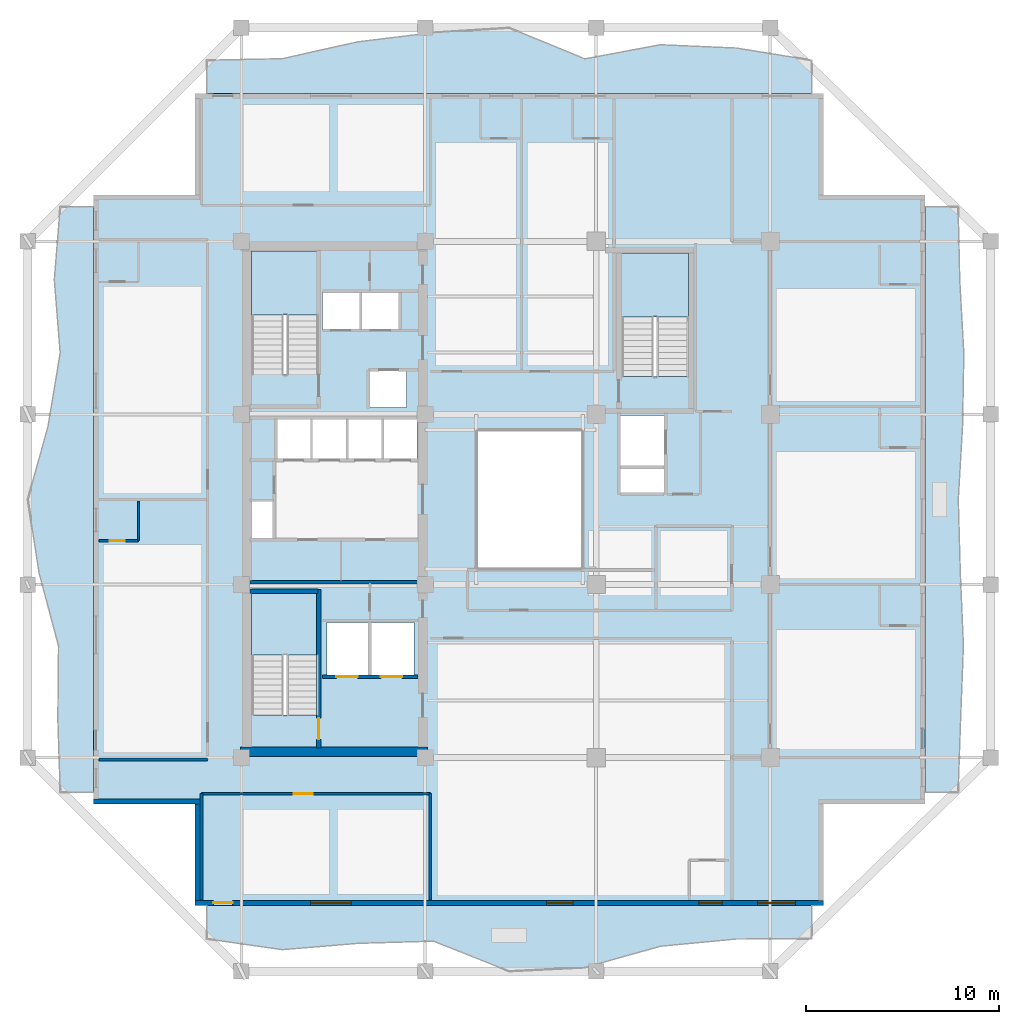
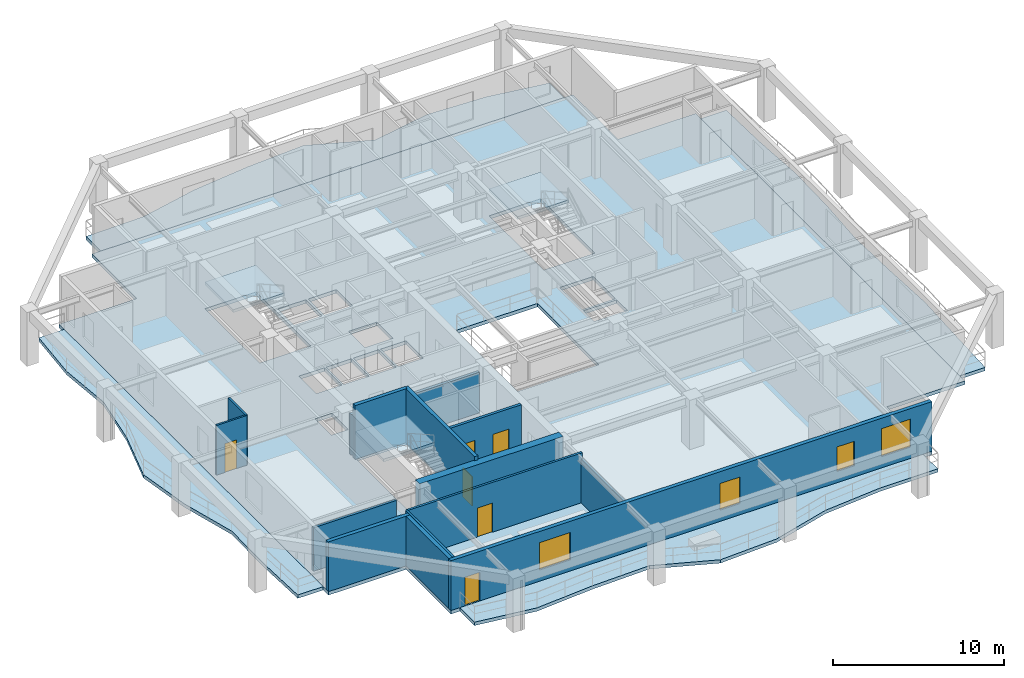
# One storey, part 2 of 12: 14 walls, 8 slabs, 6 doors, 4 windows, 10 openings, 3 elements without a shape of their own.
"""IFC4 building model written with IfcOpenShell, lengths in metres."""

from ifc_helpers import new_model, si_unit, direction, frame, frame_2d, origin, place, context, subcontext, project, spatial, polyline, rectangle, outline, extrude, material, layer, layer_set, type_object, element, fill, aggregate, save


model = new_model("IFC4")

# Units and contexts
model_context = context("Model", 3, precision=1e-05, world=origin(), true_north=direction((0.0, 1.0)))
body_context = subcontext(model_context, "Body", "Model", "MODEL_VIEW")
ifc_project = project(units=[si_unit("LENGTHUNIT", "METRE"), si_unit("AREAUNIT", "SQUARE_METRE"), si_unit("VOLUMEUNIT", "CUBIC_METRE"), si_unit("PLANEANGLEUNIT", "RADIAN"), si_unit("MASSUNIT", "GRAM", prefix="KILO")], contexts=[model_context])

# Site, building, storey
site_placement = place(None, origin())
site = spatial("IfcSite", under=ifc_project, at=site_placement, CompositionType="ELEMENT")
building_placement = place(site_placement, origin())
building = spatial("IfcBuilding", under=site, at=building_placement, Name="Kundavana Baori Tower", CompositionType="ELEMENT")
storey_placement = place(building_placement, frame((0.0, 0.0, 200.25)))
storey = spatial("IfcBuildingStorey", under=building, at=storey_placement, Name="L49", CompositionType="ELEMENT", Elevation=200.25)

# Slab
ifc_material_1 = material(Name="Concrete C40/50", Category="concrete")
ifc_layer_1 = layer(ifc_material_1, 0.25, Name="SLB-FLR-250")
ifc_layer_set_1 = layer_set([ifc_layer_1], Name="Concrete C40/50")
slab_type_1 = type_object("IfcSlabType", Name="SLB-FLR-250", PredefinedType="FLOOR", material=ifc_layer_set_1)
slab_1_placement = place(storey_placement, frame((0.0, 0.0, -0.25)))
element("IfcSlab", 1, at=slab_1_placement, inside=storey, type_object=slab_type_1, Name="L49 Structural Floor Slab", PredefinedType="FLOOR", context=body_context, shape_type="SweptSolid", body=[
    extrude(outline(polyline([(13.050048828125, 7.60009765625), (45.550048828125, 7.60009765625), (45.550048828125, 12.85009765625), (50.800048828125, 12.85009765625), (50.800048828125, 44.35009765625), (45.550048828125, 44.35009765625), (45.550048828125, 49.60009765625), (13.050048828125, 49.60009765625), (13.050048828125, 44.35009765625), (7.800048828125, 44.35009765625), (7.800048828125, 12.85009765625), (13.050048828125, 12.85009765625), (13.050048828125, 7.60009765625)]), holes=[polyline([(19.43994140625, 17.4619140625), (19.43994140625, 23.85009765625), (15.97998046875, 23.85009765625), (15.97998046875, 17.4619140625), (19.43994140625, 17.4619140625)]), polyline([(19.43994140625, 35.06201171875), (19.43994140625, 41.449951171875), (15.97998046875, 41.449951171875), (15.97998046875, 35.06201171875), (19.43994140625, 35.06201171875)]), polyline([(38.580078125, 34.9619140625), (38.580078125, 41.35009765625), (35.1201171875, 41.35009765625), (35.1201171875, 34.9619140625), (38.580078125, 34.9619140625)]), polyline([(17.300048828125, 30.699951171875), (19.02001953125, 30.699951171875), (19.02001953125, 32.75), (17.300048828125, 32.75), (17.300048828125, 30.699951171875)]), polyline([(19.139892578125, 30.699951171875), (20.860107421875, 30.699951171875), (20.860107421875, 32.75), (19.139892578125, 32.75), (19.139892578125, 30.699951171875)]), polyline([(20.97998046875, 30.699951171875), (22.699951171875, 30.699951171875), (22.699951171875, 32.75), (20.97998046875, 32.75), (20.97998046875, 30.699951171875)]), polyline([(22.820068359375, 30.699951171875), (24.5400390625, 30.699951171875), (24.5400390625, 32.75), (22.820068359375, 32.75), (22.820068359375, 30.699951171875)]), polyline([(19.64990234375, 37.39990234375), (21.550048828125, 37.39990234375), (21.550048828125, 39.300048828125), (19.64990234375, 39.300048828125), (19.64990234375, 37.39990234375)]), polyline([(21.699951171875, 37.39990234375), (23.60009765625, 37.39990234375), (23.60009765625, 39.300048828125), (21.699951171875, 39.300048828125), (21.699951171875, 37.39990234375)]), polyline([(22.10009765625, 33.35009765625), (24.0, 33.35009765625), (24.0, 35.25), (22.10009765625, 35.25), (22.10009765625, 33.35009765625)]), polyline([(19.8798828125, 19.5), (22.02001953125, 19.5), (22.02001953125, 22.25), (19.8798828125, 22.25), (19.8798828125, 19.5)]), polyline([(22.179931640625, 19.5), (24.3798828125, 19.5), (24.3798828125, 22.25), (22.179931640625, 22.25), (22.179931640625, 19.5)]), polyline([(35.050048828125, 30.35009765625), (37.300048828125, 30.35009765625), (37.300048828125, 32.949951171875), (35.050048828125, 32.949951171875), (35.050048828125, 30.35009765625)]), polyline([(15.949951171875, 26.60009765625), (17.080078125, 26.60009765625), (17.080078125, 28.5), (15.949951171875, 28.5), (15.949951171875, 26.60009765625)]), polyline([(35.050048828125, 28.949951171875), (37.300048828125, 28.949951171875), (37.300048828125, 30.199951171875), (35.050048828125, 30.199951171875), (35.050048828125, 28.949951171875)]), polyline([(27.60009765625, 25.0), (33.10009765625, 25.0), (33.10009765625, 32.199951171875), (27.60009765625, 32.199951171875), (27.60009765625, 25.0)])]), origin(), (0.0, 0.0, 1.0), 0.25),
])

# Stair, slab
ifc_material_2 = material(Name="Concrete C40/50", Category="concrete")
stair_type = type_object("IfcStairType", Name="STR-DOG-1650", PredefinedType="HALF_TURN_STAIR", material=ifc_material_2)
stair_1_placement = place(storey_placement, origin())
stair_1 = element("IfcStair", 2, at=stair_1_placement, inside=storey, type_object=stair_type, Name="L49 Protected Exit Stair ST1", PredefinedType="HALF_TURN_STAIR")
ifc_material_3 = material(Name="Concrete C40/50", Category="concrete")
ifc_layer_2 = layer(ifc_material_3, 0.199951171875, Name="SLB-LND-200")
ifc_layer_set_2 = layer_set([ifc_layer_2], Name="Concrete C40/50")
slab_type_2 = type_object("IfcSlabType", Name="SLB-LND-200", PredefinedType="LANDING", material=ifc_layer_set_2)
slab_2_placement = place(storey_placement, frame((0.0, 0.0, 1.72509765625)))
slab_2 = element("IfcSlab", 3, at=slab_2_placement, type_object=slab_type_2, Name="ST1 landing 1", PredefinedType="LANDING", context=body_context, shape_type="SweptSolid", body=[
    extrude(outline(polyline([(19.43994140625, 20.550048828125), (19.43994140625, 23.85009765625), (15.97998046875, 23.85009765625), (15.97998046875, 20.550048828125), (19.43994140625, 20.550048828125)])), origin(), (0.0, 0.0, 1.0), 0.199951171875),
])
aggregate(stair_1, [slab_2])

stair_2_placement = place(storey_placement, origin())
stair_2 = element("IfcStair", 4, at=stair_2_placement, inside=storey, type_object=stair_type, Name="L49 Protected Exit Stair ST2", PredefinedType="HALF_TURN_STAIR")
slab_3_placement = place(storey_placement, frame((0.0, 0.0, 1.72509765625)))
slab_3 = element("IfcSlab", 5, at=slab_3_placement, type_object=slab_type_2, Name="ST2 landing 1", PredefinedType="LANDING", context=body_context, shape_type="SweptSolid", body=[
    extrude(outline(polyline([(19.43994140625, 38.14990234375), (19.43994140625, 41.449951171875), (15.97998046875, 41.449951171875), (15.97998046875, 38.14990234375), (19.43994140625, 38.14990234375)])), origin(), (0.0, 0.0, 1.0), 0.199951171875),
])
aggregate(stair_2, [slab_3])

stair_3_placement = place(storey_placement, origin())
stair_3 = element("IfcStair", 6, at=stair_3_placement, inside=storey, type_object=stair_type, Name="L49 Protected Exit Stair ST3", PredefinedType="HALF_TURN_STAIR")
slab_4_placement = place(storey_placement, frame((0.0, 0.0, 1.72509765625)))
slab_4 = element("IfcSlab", 7, at=slab_4_placement, type_object=slab_type_2, Name="ST3 landing 1", PredefinedType="LANDING", context=body_context, shape_type="SweptSolid", body=[
    extrude(outline(polyline([(38.580078125, 38.050048828125), (38.580078125, 41.35009765625), (35.1201171875, 41.35009765625), (35.1201171875, 38.050048828125), (38.580078125, 38.050048828125)])), origin(), (0.0, 0.0, 1.0), 0.199951171875),
])
aggregate(stair_3, [slab_4])

# Slabs
ifc_material_4 = material(Name="Concrete C40/50", Category="concrete")
ifc_layer_3 = layer(ifc_material_4, 0.239990234375, Name="SLB-LOG-240")
ifc_layer_set_3 = layer_set([ifc_layer_3], Name="Concrete C40/50")
slab_type_3 = type_object("IfcSlabType", Name="SLB-LOG-240", PredefinedType="FLOOR", material=ifc_layer_set_3)
slab_5_placement = place(storey_placement, frame((0.0, 0.0, -0.239990234375)))
element("IfcSlab", 8, at=slab_5_placement, inside=storey, type_object=slab_type_3, Name="L49 Planted Loggia Balcony Slab S", PredefinedType="FLOOR", context=body_context, shape_type="SweptSolid", body=[
    extrude(outline(polyline([(13.64990234375, 7.60009765625), (44.949951171875, 7.60009765625), (44.949951171875, 5.8798828125), (41.0380859375, 5.866943359375), (37.125, 5.491943359375), (33.212890625, 4.39697265625), (29.300048828125, 4.199951171875), (25.387939453125, 5.757080078125), (21.47509765625, 5.64208984375), (17.56201171875, 5.31591796875), (13.64990234375, 5.8798828125), (13.64990234375, 7.60009765625)])), origin(), (0.0, 0.0, 1.0), 0.239990234375),
])
slab_6_placement = place(storey_placement, frame((0.0, 0.0, -0.239990234375)))
element("IfcSlab", 9, at=slab_6_placement, inside=storey, type_object=slab_type_3, Name="L49 Planted Loggia Balcony Slab E", PredefinedType="FLOOR", context=body_context, shape_type="SweptSolid", body=[
    extrude(outline(polyline([(50.800048828125, 13.449951171875), (50.800048828125, 43.75), (52.52001953125, 43.75), (52.60498046875, 39.9619140625), (52.81689453125, 36.175048828125), (52.75, 32.387939453125), (52.530029296875, 28.60009765625), (52.634033203125, 24.81201171875), (52.794921875, 21.02490234375), (52.64990234375, 17.238037109375), (52.52001953125, 13.449951171875), (50.800048828125, 13.449951171875)])), origin(), (0.0, 0.0, 1.0), 0.239990234375),
])
slab_7_placement = place(storey_placement, frame((0.0, 0.0, -0.239990234375)))
element("IfcSlab", 10, at=slab_7_placement, inside=storey, type_object=slab_type_3, Name="L49 Planted Loggia Balcony Slab N", PredefinedType="FLOOR", context=body_context, shape_type="SweptSolid", body=[
    extrude(outline(polyline([(44.949951171875, 49.60009765625), (13.64990234375, 49.60009765625), (13.64990234375, 51.320068359375), (17.56201171875, 51.39794921875), (21.47509765625, 52.27001953125), (25.387939453125, 52.7490234375), (29.300048828125, 53.0), (33.212890625, 51.388916015625), (37.125, 52.1201171875), (41.0380859375, 51.949951171875), (44.949951171875, 51.320068359375), (44.949951171875, 49.60009765625)])), origin(), (0.0, 0.0, 1.0), 0.239990234375),
])
slab_8_placement = place(storey_placement, frame((0.0, 0.0, -0.239990234375)))
element("IfcSlab", 11, at=slab_8_placement, inside=storey, type_object=slab_type_3, Name="L49 Planted Loggia Balcony Slab W", PredefinedType="FLOOR", context=body_context, shape_type="SweptSolid", body=[
    extrude(outline(polyline([(7.800048828125, 43.75), (7.800048828125, 13.449951171875), (6.080078125, 13.449951171875), (5.95703125, 17.238037109375), (5.993896484375, 21.02490234375), (4.98291015625, 24.81201171875), (4.39990234375, 28.60009765625), (5.447998046875, 32.387939453125), (6.0791015625, 36.175048828125), (5.77490234375, 39.9619140625), (6.080078125, 43.75), (7.800048828125, 43.75)])), origin(), (0.0, 0.0, 1.0), 0.239990234375),
])

# Wall, opening, door
ifc_material_5 = material(Name="Concrete C50/60", Category="concrete")
ifc_layer_4 = layer(ifc_material_5, 0.39990234375, Name="WL-CORE-400")
ifc_layer_set_4 = layer_set([ifc_layer_4], Name="Concrete C50/60")
wall_type_1 = type_object("IfcWallType", Name="WL-CORE-400", PredefinedType="SHEAR", material=ifc_layer_set_4)
wall_1_placement = place(storey_placement, frame((19.4599609375, 15.739990234375, 0.0), z_axis=(0.0, 0.0, 1.0), x_axis=(0.0, 1.0, 0.0)))
wall_1 = element("IfcWall", 12, at=wall_1_placement, inside=storey, type_object=wall_type_1, Name="WL-L49-ST1-E", PredefinedType="SHEAR", context=body_context, shape_type="SweptSolid", body=[
    extrude(rectangle(XDim=8.199951171875, YDim=0.239990234375, at=frame_2d((4.10009765625, 0.0))), origin(), (0.0, 0.0, 1.0), 3.85009765625),
])
opening_1_placement = place(wall_1_placement, frame((0.449951171875, 0.0, 0.0)))
opening_1 = element("IfcOpeningElement", 13, at=opening_1_placement, cuts=wall_1, Name="Opening FD-110", PredefinedType="OPENING", context=body_context, shape_type="SweptSolid", body=[
    extrude(rectangle(XDim=1.10009765625, YDim=2.10009765625, at=frame_2d((0.550048828125, 1.050048828125))), frame((0.0, 0.1298828125, 0.0), z_axis=(0.0, -1.0, 0.0), x_axis=(1.0, 0.0, 0.0)), (0.0, 0.0, 1.0), 0.260009765625),
])
ifc_material_6 = material(Name="Galvanised Steel Fire-Rated Door Leaf", Category="steel")
door_type_1 = type_object("IfcDoorType", Name="DR-FD120-1100", OperationType="NOTDEFINED", PredefinedType="DOOR", material=ifc_material_6)
door_1_placement = place(opening_1_placement, origin())
door_1 = element("IfcDoor", 14, at=door_1_placement, inside=storey, type_object=door_type_1, Name="DR-L49-ST1", OperationType="SINGLE_SWING_LEFT", OverallHeight=2.10009765625, OverallWidth=1.10009765625, PredefinedType="DOOR", context=body_context, shape_type="SweptSolid", body=[
    extrude(rectangle(XDim=1.10009765625, YDim=2.10009765625, at=frame_2d((0.550048828125, 1.050048828125))), frame((0.0, 0.02490234375, 0.0), z_axis=(0.0, -1.0, 0.0), x_axis=(1.0, 0.0, 0.0)), (0.0, 0.0, 1.0), 0.050048828125),
])
fill(opening_1, door_1)

# Walls
wall_2_placement = place(storey_placement, frame((15.89990234375, 23.860107421875, 0.0), z_axis=(0.0, 0.0, 1.0), x_axis=(1.0, 0.0, 0.0)))
element("IfcWall", 15, at=wall_2_placement, inside=storey, type_object=wall_type_1, Name="WL-L49-ST1-N", PredefinedType="SHEAR", context=body_context, shape_type="SweptSolid", body=[
    extrude(rectangle(XDim=3.52001953125, YDim=0.239990234375, at=frame_2d((1.760009765625, 0.0))), origin(), (0.0, 0.0, 1.0), 3.85009765625),
])
ifc_material_7 = material(Name="Concrete C50/60", Category="concrete")
ifc_layer_5 = layer(ifc_material_7, 0.5, Name="WL-CORE-500")
ifc_layer_set_5 = layer_set([ifc_layer_5], Name="Concrete C50/60")
wall_type_2 = type_object("IfcWallType", Name="WL-CORE-500", PredefinedType="SHEAR", material=ifc_layer_set_5)
wall_3_placement = place(storey_placement, frame((15.39990234375, 15.56005859375, 0.0), z_axis=(0.0, 0.0, 1.0), x_axis=(1.0, 0.0, 0.0)))
element("IfcWall", 16, at=wall_3_placement, inside=storey, type_object=wall_type_2, Name="L49 Offset Core South Shear Wall", PredefinedType="SHEAR", context=body_context, shape_type="SweptSolid", body=[
    extrude(rectangle(XDim=9.68017578125, YDim=0.5, at=frame_2d((4.840087890625, 0.0))), origin(), (0.0, 0.0, 1.0), 3.550048828125),
])

# Wall, openings, door, windows
ifc_material_8 = material(Name="Kiln-Fired Terracotta Brick-Slip Masonry on Concrete C40/50", Category="masonry")
ifc_layer_6 = layer(ifc_material_8, 0.260009765625, Name="WL-EXT-BRK-260")
ifc_layer_set_6 = layer_set([ifc_layer_6], Name="Kiln-Fired Terracotta Brick-Slip Masonry on Concrete C40/50")
wall_type_3 = type_object("IfcWallType", Name="WL-EXT-BRK-260", PredefinedType="SOLIDWALL", material=ifc_layer_set_6)
wall_4_placement = place(storey_placement, frame((13.050048828125, 7.72998046875, 0.0), z_axis=(0.0, 0.0, 1.0), x_axis=(1.0, 0.0, 0.0)))
wall_4 = element("IfcWall", 17, at=wall_4_placement, inside=storey, type_object=wall_type_3, Name="L49 Exterior Insulated Facade Wall 01", PredefinedType="SOLIDWALL", context=body_context, shape_type="SweptSolid", body=[
    extrude(rectangle(XDim=32.5, YDim=0.260009765625, at=frame_2d((16.25, 0.0))), origin(), (0.0, 0.0, 1.0), 3.550048828125),
])
opening_2_placement = place(wall_4_placement, frame((0.949951171875, 0.0, 0.0)))
opening_2 = element("IfcOpeningElement", 18, at=opening_2_placement, cuts=wall_4, Name="Opening BD-1", PredefinedType="OPENING", context=body_context, shape_type="SweptSolid", body=[
    extrude(rectangle(XDim=1.0, YDim=2.050048828125, at=frame_2d((0.5, 1.02490234375))), frame((0.0, 0.14013671875, 0.0), z_axis=(0.0, -1.0, 0.0), x_axis=(1.0, 0.0, 0.0)), (0.0, 0.0, 1.0), 0.280029296875),
])
opening_3_placement = place(wall_4_placement, frame((5.97998046875, 0.0, 0.800048828125)))
opening_3 = element("IfcOpeningElement", 19, at=opening_3_placement, cuts=wall_4, Name="Opening W-05", PredefinedType="OPENING", context=body_context, shape_type="SweptSolid", body=[
    extrude(rectangle(XDim=2.10009765625, YDim=1.949951171875, at=frame_2d((1.050048828125, 0.97509765625))), frame((0.0, 0.14013671875, 0.0), z_axis=(0.0, -1.0, 0.0), x_axis=(1.0, 0.0, 0.0)), (0.0, 0.0, 1.0), 0.280029296875),
])
opening_4_placement = place(wall_4_placement, frame((18.18994140625, 0.0, 0.800048828125)))
opening_4 = element("IfcOpeningElement", 20, at=opening_4_placement, cuts=wall_4, Name="Opening W-07", PredefinedType="OPENING", context=body_context, shape_type="SweptSolid", body=[
    extrude(rectangle(XDim=1.35009765625, YDim=1.89990234375, at=frame_2d((0.675048828125, 0.949951171875))), frame((0.0, 0.14013671875, 0.0), z_axis=(0.0, -1.0, 0.0), x_axis=(1.0, 0.0, 0.0)), (0.0, 0.0, 1.0), 0.280029296875),
])
opening_5_placement = place(wall_4_placement, frame((26.06494140625, 0.0, 0.800048828125)))
opening_5 = element("IfcOpeningElement", 21, at=opening_5_placement, cuts=wall_4, Name="Opening W-03", PredefinedType="OPENING", context=body_context, shape_type="SweptSolid", body=[
    extrude(rectangle(XDim=1.199951171875, YDim=1.75, at=frame_2d((0.60009765625, 0.875))), frame((0.0, 0.14013671875, 0.0), z_axis=(0.0, -1.0, 0.0), x_axis=(1.0, 0.0, 0.0)), (0.0, 0.0, 1.0), 0.280029296875),
])
opening_6_placement = place(wall_4_placement, frame((29.10498046875, 0.0, 0.800048828125)))
opening_6 = element("IfcOpeningElement", 22, at=opening_6_placement, cuts=wall_4, Name="Opening W-09", PredefinedType="OPENING", context=body_context, shape_type="SweptSolid", body=[
    extrude(rectangle(XDim=1.949951171875, YDim=2.0, at=frame_2d((0.97509765625, 1.0))), frame((0.0, 0.14013671875, 0.0), z_axis=(0.0, -1.0, 0.0), x_axis=(1.0, 0.0, 0.0)), (0.0, 0.0, 1.0), 0.280029296875),
])
ifc_material_9 = material(Name="Architectural Patinated Bronze Metalwork")
door_type_2 = type_object("IfcDoorType", Name="DR-EXT-LOG-1000", OperationType="NOTDEFINED", PredefinedType="DOOR", material=ifc_material_9)
door_2_placement = place(opening_2_placement, frame((1.0, 0.0, 0.0), z_axis=(0.0, 0.0, 1.0), x_axis=(-1.0, 0.0, 0.0)))
door_2 = element("IfcDoor", 23, at=door_2_placement, inside=storey, type_object=door_type_2, Name="L49 Loggia Balcony Access Door S", OperationType="SINGLE_SWING_LEFT", OverallHeight=2.050048828125, OverallWidth=1.0, PredefinedType="DOOR", context=body_context, shape_type="SweptSolid", body=[
    extrude(rectangle(XDim=1.0, YDim=2.050048828125, at=frame_2d((0.5, 1.02490234375))), frame((0.0, 0.02490234375, 0.0), z_axis=(0.0, -1.0, 0.0), x_axis=(1.0, 0.0, 0.0)), (0.0, 0.0, 1.0), 0.050048828125),
])
fill(opening_2, door_2)
ifc_material_10 = material(Name="Double-Glazed Solar-Control Low-E Insulated Glass", Category="glass")
window_type_1 = type_object("IfcWindowType", Name="WIN-LOG-1200x1750", PartitioningType="SINGLE_PANEL", PredefinedType="WINDOW", material=ifc_material_10)
window_1_placement = place(opening_5_placement, origin())
window_1 = element("IfcWindow", 24, at=window_1_placement, inside=storey, type_object=window_type_1, Name="L49 Recessed Loggia Window S-3", OverallHeight=1.75, OverallWidth=1.199951171875, PartitioningType="SINGLE_PANEL", PredefinedType="WINDOW", context=body_context, shape_type="SweptSolid", body=[
    extrude(rectangle(XDim=1.199951171875, YDim=1.75, at=frame_2d((0.60009765625, 0.875))), frame((0.0, 0.030029296875, 0.0), z_axis=(0.0, -1.0, 0.0), x_axis=(1.0, 0.0, 0.0)), (0.0, 0.0, 1.0), 0.06005859375),
])
fill(opening_5, window_1)
ifc_material_11 = material(Name="Double-Glazed Solar-Control Low-E Insulated Glass", Category="glass")
window_type_2 = type_object("IfcWindowType", Name="WIN-LOG-1350x1900", PartitioningType="SINGLE_PANEL", PredefinedType="WINDOW", material=ifc_material_11)
window_2_placement = place(opening_4_placement, origin())
window_2 = element("IfcWindow", 25, at=window_2_placement, inside=storey, type_object=window_type_2, Name="L49 Recessed Loggia Window S-2", OverallHeight=1.89990234375, OverallWidth=1.35009765625, PartitioningType="SINGLE_PANEL", PredefinedType="WINDOW", context=body_context, shape_type="SweptSolid", body=[
    extrude(rectangle(XDim=1.35009765625, YDim=1.89990234375, at=frame_2d((0.675048828125, 0.949951171875))), frame((0.0, 0.030029296875, 0.0), z_axis=(0.0, -1.0, 0.0), x_axis=(1.0, 0.0, 0.0)), (0.0, 0.0, 1.0), 0.06005859375),
])
fill(opening_4, window_2)
ifc_material_12 = material(Name="Double-Glazed Solar-Control Low-E Insulated Glass", Category="glass")
window_type_3 = type_object("IfcWindowType", Name="WIN-LOG-1950x2000", PartitioningType="SINGLE_PANEL", PredefinedType="WINDOW", material=ifc_material_12)
window_3_placement = place(opening_6_placement, origin())
window_3 = element("IfcWindow", 26, at=window_3_placement, inside=storey, type_object=window_type_3, Name="L49 Recessed Loggia Window S-4", OverallHeight=2.0, OverallWidth=1.949951171875, PartitioningType="SINGLE_PANEL", PredefinedType="WINDOW", context=body_context, shape_type="SweptSolid", body=[
    extrude(rectangle(XDim=1.949951171875, YDim=2.0, at=frame_2d((0.97509765625, 1.0))), frame((0.0, 0.030029296875, 0.0), z_axis=(0.0, -1.0, 0.0), x_axis=(1.0, 0.0, 0.0)), (0.0, 0.0, 1.0), 0.06005859375),
])
fill(opening_6, window_3)
ifc_material_13 = material(Name="Double-Glazed Solar-Control Low-E Insulated Glass", Category="glass")
window_type_4 = type_object("IfcWindowType", Name="WIN-LOG-2100x1950", PartitioningType="SINGLE_PANEL", PredefinedType="WINDOW", material=ifc_material_13)
window_4_placement = place(opening_3_placement, origin())
window_4 = element("IfcWindow", 27, at=window_4_placement, inside=storey, type_object=window_type_4, Name="L49 Recessed Loggia Window S-1", OverallHeight=1.949951171875, OverallWidth=2.10009765625, PartitioningType="SINGLE_PANEL", PredefinedType="WINDOW", context=body_context, shape_type="SweptSolid", body=[
    extrude(rectangle(XDim=2.10009765625, YDim=1.949951171875, at=frame_2d((1.050048828125, 0.97509765625))), frame((0.0, 0.030029296875, 0.0), z_axis=(0.0, -1.0, 0.0), x_axis=(1.0, 0.0, 0.0)), (0.0, 0.0, 1.0), 0.06005859375),
])
fill(opening_3, window_4)

# Walls
wall_5_placement = place(storey_placement, frame((7.800048828125, 12.97998046875, 0.0), z_axis=(0.0, 0.0, 1.0), x_axis=(1.0, 0.0, 0.0)))
element("IfcWall", 28, at=wall_5_placement, inside=storey, type_object=wall_type_3, Name="L49 Exterior Insulated Facade Wall 11", PredefinedType="SOLIDWALL", context=body_context, shape_type="SweptSolid", body=[
    extrude(rectangle(XDim=5.510009765625, YDim=0.260009765625, at=frame_2d((2.7548828125, 0.0))), origin(), (0.0, 0.0, 1.0), 3.550048828125),
])
wall_6_placement = place(storey_placement, frame((13.179931640625, 12.85009765625, 0.0), z_axis=(0.0, 0.0, 1.0), x_axis=(0.0, -1.0, 0.0)))
element("IfcWall", 29, at=wall_6_placement, inside=storey, type_object=wall_type_3, Name="L49 Exterior Insulated Facade Wall 12", PredefinedType="SOLIDWALL", context=body_context, shape_type="SweptSolid", body=[
    extrude(rectangle(XDim=4.989990234375, YDim=0.260009765625, at=frame_2d((2.4951171875, 0.0))), origin(), (0.0, 0.0, 1.0), 3.550048828125),
])
ifc_material_14 = material(Name="Fire-Rated Gypsum Drywall on Galvanised Steel Studs", Category="steel")
ifc_layer_7 = layer(ifc_material_14, 0.14990234375, Name="WL-PART-150")
ifc_layer_set_7 = layer_set([ifc_layer_7], Name="Fire-Rated Gypsum Drywall on Galvanised Steel Studs")
wall_type_4 = type_object("IfcWallType", Name="WL-PART-150", PredefinedType="PARTITIONING", material=ifc_layer_set_7)
wall_7_placement = place(storey_placement, frame((8.080078125, 15.159912109375, 0.0), z_axis=(0.0, 0.0, 1.0), x_axis=(1.0, 0.0, 0.0)))
element("IfcWall", 30, at=wall_7_placement, inside=storey, type_object=wall_type_4, Name="WL-L49-HWS", PredefinedType="PARTITIONING", context=body_context, shape_type="SweptSolid", body=[
    extrude(rectangle(XDim=5.619873046875, YDim=0.14990234375, at=frame_2d((2.81005859375, 0.0))), origin(), (0.0, 0.0, 1.0), 3.10009765625),
])

# Wall, opening, door
wall_8_placement = place(storey_placement, frame((13.389892578125, 13.3798828125, 0.0), z_axis=(0.0, 0.0, 1.0), x_axis=(1.0, 0.0, 0.0)))
wall_8 = element("IfcWall", 31, at=wall_8_placement, inside=storey, type_object=wall_type_4, Name="WL-L49-HSC", PredefinedType="PARTITIONING", context=body_context, shape_type="SweptSolid", body=[
    extrude(rectangle(XDim=11.830078125, YDim=0.14990234375, at=frame_2d((5.9150390625, 0.0))), origin(), (0.0, 0.0, 1.0), 3.550048828125),
])
opening_7_placement = place(wall_8_placement, frame((4.760009765625, 0.0, 0.0)))
opening_7 = element("IfcOpeningElement", 32, at=opening_7_placement, cuts=wall_8, Name="Opening ID-100", PredefinedType="OPENING", context=body_context, shape_type="SweptSolid", body=[
    extrude(rectangle(XDim=1.0, YDim=2.080078125, at=frame_2d((0.5, 1.0400390625))), frame((0.0, 0.0849609375, 0.0), z_axis=(0.0, -1.0, 0.0), x_axis=(1.0, 0.0, 0.0)), (0.0, 0.0, 1.0), 0.169921875),
])
ifc_material_15 = material(Name="Engineered Teak Solid-Core Timber Veneer", Category="wood")
door_type_3 = type_object("IfcDoorType", Name="DR-INT-1000", OperationType="NOTDEFINED", PredefinedType="DOOR", material=ifc_material_15)
door_3_placement = place(opening_7_placement, frame((1.0, 0.0, 0.0), z_axis=(0.0, 0.0, 1.0), x_axis=(-1.0, 0.0, 0.0)))
door_3 = element("IfcDoor", 33, at=door_3_placement, inside=storey, type_object=door_type_3, Name="DR-L49-HMSW", OperationType="SINGLE_SWING_LEFT", OverallHeight=2.080078125, OverallWidth=1.0, PredefinedType="DOOR", context=body_context, shape_type="SweptSolid", body=[
    extrude(rectangle(XDim=1.0, YDim=2.080078125, at=frame_2d((0.5, 1.0400390625))), frame((0.0, 0.02490234375, 0.0), z_axis=(0.0, -1.0, 0.0), x_axis=(1.0, 0.0, 0.0)), (0.0, 0.0, 1.0), 0.050048828125),
])
fill(opening_7, door_3)

# Walls
wall_9_placement = place(storey_placement, frame((13.389892578125, 7.8798828125, 0.0), z_axis=(0.0, 0.0, 1.0), x_axis=(0.0, 1.0, 0.0)))
element("IfcWall", 34, at=wall_9_placement, inside=storey, type_object=wall_type_4, Name="WL-L49-HSCW", PredefinedType="PARTITIONING", context=body_context, shape_type="SweptSolid", body=[
    extrude(rectangle(XDim=5.5, YDim=0.14990234375, at=frame_2d((2.75, 0.0))), origin(), (0.0, 0.0, 1.0), 3.550048828125),
])
wall_10_placement = place(storey_placement, frame((25.219970703125, 7.8798828125, 0.0), z_axis=(0.0, 0.0, 1.0), x_axis=(0.0, 1.0, 0.0)))
element("IfcWall", 35, at=wall_10_placement, inside=storey, type_object=wall_type_4, Name="WL-L49-HSCE", PredefinedType="PARTITIONING", context=body_context, shape_type="SweptSolid", body=[
    extrude(rectangle(XDim=5.5, YDim=0.14990234375, at=frame_2d((2.75, 0.0))), origin(), (0.0, 0.0, 1.0), 3.10009765625),
])

# Wall, openings, doors
ifc_material_16 = material(Name="Autoclaved Aerated Concrete Blockwork Masonry", Category="masonry")
ifc_layer_8 = layer(ifc_material_16, 0.179931640625, Name="WL-SHAFT-180")
ifc_layer_set_8 = layer_set([ifc_layer_8], Name="Autoclaved Aerated Concrete Blockwork Masonry")
wall_type_5 = type_object("IfcWallType", Name="WL-SHAFT-180", PredefinedType="SOLIDWALL", material=ifc_layer_set_8)
wall_11_placement = place(storey_placement, frame((19.639892578125, 19.419921875, 0.0), z_axis=(0.0, 0.0, 1.0), x_axis=(1.0, 0.0, 0.0)))
wall_11 = element("IfcWall", 36, at=wall_11_placement, inside=storey, type_object=wall_type_5, Name="WL-L49-FFL-S", PredefinedType="SOLIDWALL", context=body_context, shape_type="SweptSolid", body=[
    extrude(rectangle(XDim=4.940185546875, YDim=0.179931640625, at=frame_2d((2.47021484375, 0.0))), origin(), (0.0, 0.0, 1.0), 3.550048828125),
])
opening_8_placement = place(wall_11_placement, frame((0.719970703125, 0.0, 0.0)))
opening_8 = element("IfcOpeningElement", 37, at=opening_8_placement, cuts=wall_11, Name="Opening LD-110", PredefinedType="OPENING", context=body_context, shape_type="SweptSolid", body=[
    extrude(rectangle(XDim=1.10009765625, YDim=2.10009765625, at=frame_2d((0.550048828125, 1.050048828125))), frame((0.0, 0.10009765625, 0.0), z_axis=(0.0, -1.0, 0.0), x_axis=(1.0, 0.0, 0.0)), (0.0, 0.0, 1.0), 0.199951171875),
])
opening_9_placement = place(wall_11_placement, frame((3.02001953125, 0.0, 0.0)))
opening_9 = element("IfcOpeningElement", 38, at=opening_9_placement, cuts=wall_11, Name="Opening LD-110", PredefinedType="OPENING", context=body_context, shape_type="SweptSolid", body=[
    extrude(rectangle(XDim=1.10009765625, YDim=2.10009765625, at=frame_2d((0.550048828125, 1.050048828125))), frame((0.0, 0.10009765625, 0.0), z_axis=(0.0, -1.0, 0.0), x_axis=(1.0, 0.0, 0.0)), (0.0, 0.0, 1.0), 0.199951171875),
])
ifc_material_17 = material(Name="Galvanised Steel Fire-Rated Door Leaf", Category="steel")
door_type_4 = type_object("IfcDoorType", Name="DR-SLIDE-LD1100", OperationType="NOTDEFINED", PredefinedType="DOOR", material=ifc_material_17)
door_4_placement = place(opening_8_placement, origin())
door_4 = element("IfcDoor", 39, at=door_4_placement, inside=storey, type_object=door_type_4, Name="DR-L49-LD-FFL-1", OperationType="DOUBLE_DOOR_SLIDING", OverallHeight=2.10009765625, OverallWidth=1.10009765625, PredefinedType="DOOR", context=body_context, shape_type="SweptSolid", body=[
    extrude(rectangle(XDim=1.10009765625, YDim=2.10009765625, at=frame_2d((0.550048828125, 1.050048828125))), frame((0.0, 0.02490234375, 0.0), z_axis=(0.0, -1.0, 0.0), x_axis=(1.0, 0.0, 0.0)), (0.0, 0.0, 1.0), 0.050048828125),
])
fill(opening_8, door_4)
door_5_placement = place(opening_9_placement, origin())
door_5 = element("IfcDoor", 40, at=door_5_placement, inside=storey, type_object=door_type_4, Name="DR-L49-LD-FFL-2", OperationType="DOUBLE_DOOR_SLIDING", OverallHeight=2.10009765625, OverallWidth=1.10009765625, PredefinedType="DOOR", context=body_context, shape_type="SweptSolid", body=[
    extrude(rectangle(XDim=1.10009765625, YDim=2.10009765625, at=frame_2d((0.550048828125, 1.050048828125))), frame((0.0, 0.02490234375, 0.0), z_axis=(0.0, -1.0, 0.0), x_axis=(1.0, 0.0, 0.0)), (0.0, 0.0, 1.0), 0.050048828125),
])
fill(opening_9, door_5)

# Walls
wall_12_placement = place(storey_placement, frame((15.89990234375, 24.330078125, 0.0), z_axis=(0.0, 0.0, 1.0), x_axis=(1.0, 0.0, 0.0)))
element("IfcWall", 41, at=wall_12_placement, inside=storey, type_object=wall_type_5, Name="WL-L49-LPLOW-S", PredefinedType="SOLIDWALL", context=body_context, shape_type="SweptSolid", body=[
    extrude(rectangle(XDim=8.68017578125, YDim=0.179931640625, at=frame_2d((4.340087890625, 0.0))), origin(), (0.0, 0.0, 1.0), 2.89990234375),
])
ifc_material_18 = material(Name="Autoclaved Aerated Concrete Blockwork Masonry", Category="masonry")
ifc_layer_9 = layer(ifc_material_18, 0.125, Name="WL-WET-120")
ifc_layer_set_9 = layer_set([ifc_layer_9], Name="Autoclaved Aerated Concrete Blockwork Masonry")
wall_type_6 = type_object("IfcWallType", Name="WL-WET-120", PredefinedType="PLUMBINGWALL", material=ifc_layer_set_9)
wall_13_placement = place(storey_placement, frame((10.1298828125, 26.469970703125, 0.0), z_axis=(0.0, 0.0, 1.0), x_axis=(0.0, 1.0, 0.0)))
element("IfcWall", 42, at=wall_13_placement, inside=storey, type_object=wall_type_6, Name="WL-L49-HK-W1-BE", PredefinedType="PLUMBINGWALL", context=body_context, shape_type="SweptSolid", body=[
    extrude(rectangle(XDim=2.050048828125, YDim=0.125, at=frame_2d((1.02490234375, 0.0))), origin(), (0.0, 0.0, 1.0), 3.550048828125),
])

# Wall, opening, door
wall_14_placement = place(storey_placement, frame((8.080078125, 26.469970703125, 0.0), z_axis=(0.0, 0.0, 1.0), x_axis=(1.0, 0.0, 0.0)))
wall_14 = element("IfcWall", 43, at=wall_14_placement, inside=storey, type_object=wall_type_6, Name="WL-L49-HK-W1-BS", PredefinedType="PLUMBINGWALL", context=body_context, shape_type="SweptSolid", body=[
    extrude(rectangle(XDim=2.0498046875, YDim=0.125, at=frame_2d((1.02490234375, 0.0))), origin(), (0.0, 0.0, 1.0), 3.550048828125),
])
opening_10_placement = place(wall_14_placement, frame((0.550048828125, 0.0, 0.0)))
opening_10 = element("IfcOpeningElement", 44, at=opening_10_placement, cuts=wall_14, Name="Opening WD-080", PredefinedType="OPENING", context=body_context, shape_type="SweptSolid", body=[
    extrude(rectangle(XDim=0.800048828125, YDim=2.050048828125, at=frame_2d((0.39990234375, 1.02490234375))), frame((0.0, 0.072509765625, 0.0), z_axis=(0.0, -1.0, 0.0), x_axis=(1.0, 0.0, 0.0)), (0.0, 0.0, 1.0), 0.14501953125),
])
ifc_material_19 = material(Name="Engineered Teak Solid-Core Timber Veneer", Category="wood")
door_type_5 = type_object("IfcDoorType", Name="DR-WET-800", OperationType="NOTDEFINED", PredefinedType="DOOR", material=ifc_material_19)
door_6_placement = place(opening_10_placement, frame((0.800048828125, 0.0, 0.0), z_axis=(0.0, 0.0, 1.0), x_axis=(-1.0, 0.0, 0.0)))
door_6 = element("IfcDoor", 45, at=door_6_placement, inside=storey, type_object=door_type_5, Name="DR-L49-HK-W1-ENS", OperationType="SINGLE_SWING_LEFT", OverallHeight=2.050048828125, OverallWidth=0.800048828125, PredefinedType="DOOR", context=body_context, shape_type="SweptSolid", body=[
    extrude(rectangle(XDim=0.800048828125, YDim=2.050048828125, at=frame_2d((0.39990234375, 1.02490234375))), frame((0.0, 0.02490234375, 0.0), z_axis=(0.0, -1.0, 0.0), x_axis=(1.0, 0.0, 0.0)), (0.0, 0.0, 1.0), 0.050048828125),
])
fill(opening_10, door_6)

save(model, "model.ifc")
